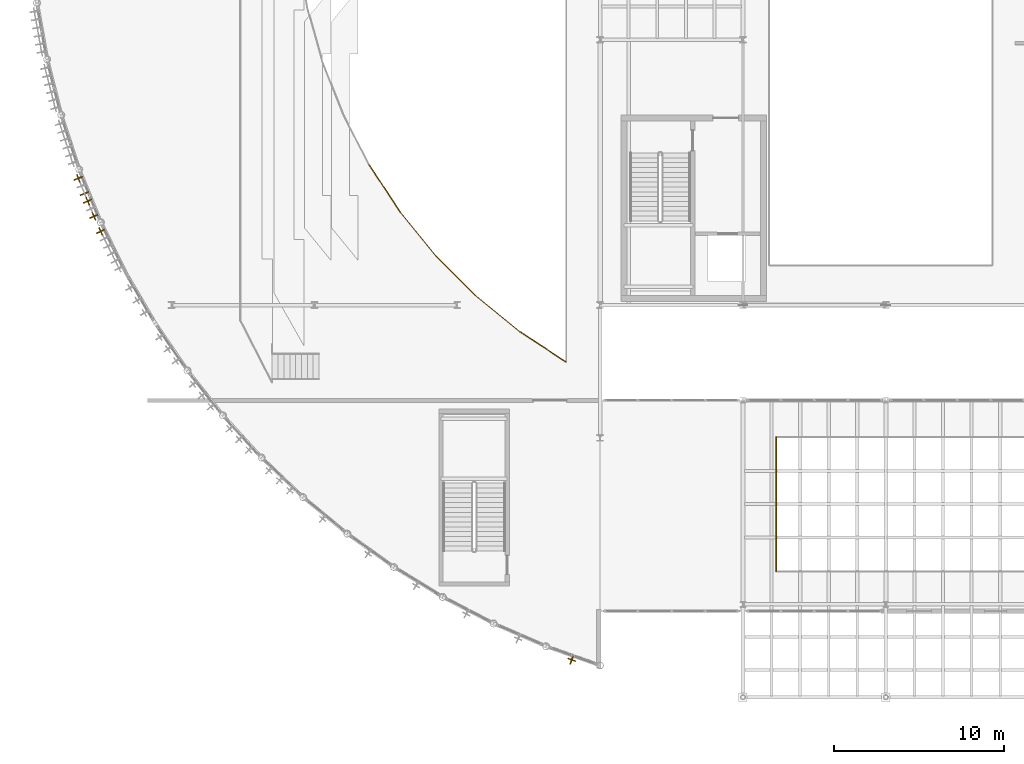
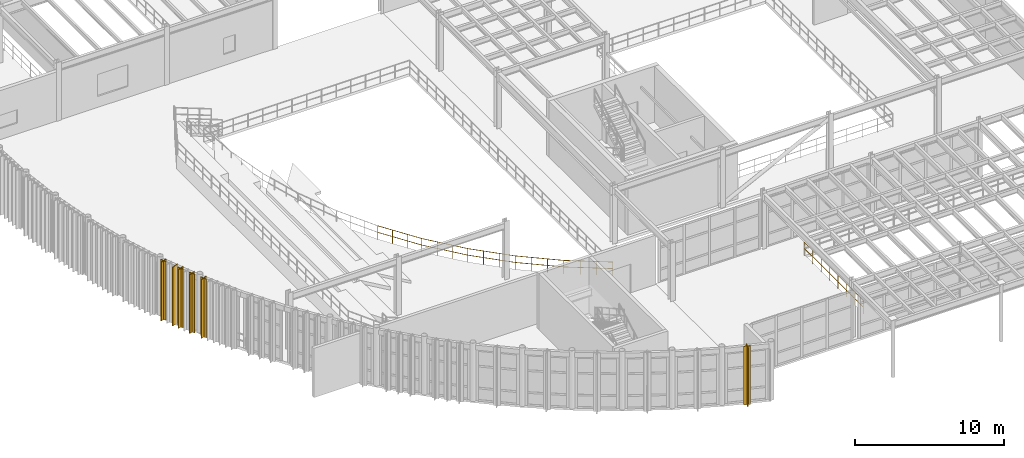
# One storey, part 97 of 105: 6 coverings, 6 railings, 5 shading devices.
"""IFC4 building model written with IfcOpenShell, lengths in metres."""

import ifcopenshell
import ifcopenshell.guid

model = None  # the IFC model being written
_history = None  # IfcOwnerHistory: only IFC2X3 demands one
_inside = {}  # id of a spatial element -> (the spatial element, [elements in it])
_under = {}  # id of a project, library or spatial element -> (it, [spatial elements below it])
_declared = {}  # id of a project -> (the project, [libraries it declares])
_typed = {}  # id of a type object -> (the type object, [elements of that type])
_made_of = {}  # id of a material, layer set ... -> (it, [elements and type objects made of it])


def new_model(schema):
    """Start an empty IFC model of exactly this schema.

    Asked for "IFC4X3", IfcOpenShell would pick the latest addendum, in which some entities
    have other attributes; the version numbers below select the first issue.
    IFC2X3 requires an IfcOwnerHistory on every rooted entity: one is made here for all.
    """
    global model, _history
    if schema == "IFC4X3":
        model = ifcopenshell.file(schema_version=(4, 3, 0, 0))
    else:
        model = ifcopenshell.file(schema=schema)
    _inside.clear()
    _under.clear()
    _declared.clear()
    _typed.clear()
    _made_of.clear()
    _history = None
    if model.schema == "IFC2X3":
        org = make("IfcOrganization", Name="unknown")
        user = make(
            "IfcPersonAndOrganization",
            ThePerson=make("IfcPerson", FamilyName="unknown"),
            TheOrganization=org,
        )
        app = make(
            "IfcApplication",
            ApplicationDeveloper=org,
            Version="unknown",
            ApplicationFullName="unknown",
            ApplicationIdentifier="unknown",
        )
        _history = make(
            "IfcOwnerHistory",
            OwningUser=user,
            OwningApplication=app,
            ChangeAction="ADDED",
            CreationDate=0,
        )
    return model


def make(cls, **values):
    """One entity of the class cls with the attributes given. An attribute that is None is left unset."""
    return model.create_entity(
        cls, **{name: value for name, value in values.items() if value is not None}
    )


def rooted(cls, **values):
    """An entity with a GlobalId (a new one), such as an element, a storey or a relation."""
    return make(cls, GlobalId=ifcopenshell.guid.new(), OwnerHistory=_history, **values)


def si_unit(unit_type, name, prefix=None):
    """IfcSIUnit, for example si_unit("LENGTHUNIT", "METRE", prefix="MILLI")."""
    return make("IfcSIUnit", UnitType=unit_type, Prefix=prefix, Name=name)


def assignment(units):
    """IfcUnitAssignment: the units of a project."""
    return None if units is None else make("IfcUnitAssignment", Units=units)


def point(xyz):
    """IfcCartesianPoint."""
    return None if xyz is None else make("IfcCartesianPoint", Coordinates=xyz)


def direction(xyz):
    """IfcDirection."""
    return None if xyz is None else make("IfcDirection", DirectionRatios=xyz)


def frame(location, z_axis=None, x_axis=None):
    """IfcAxis2Placement3D, a coordinate frame: its origin and axes. An axis left out is left unset."""
    return make(
        "IfcAxis2Placement3D",
        Location=point(location),
        Axis=direction(z_axis),
        RefDirection=direction(x_axis),
    )


def frame_2d(location, x_axis=None):
    """IfcAxis2Placement2D, a coordinate frame in the plane: its origin and x axis."""
    return make(
        "IfcAxis2Placement2D", Location=point(location), RefDirection=direction(x_axis)
    )


def origin():
    """The frame at (0, 0, 0) with its axes left unset."""
    return frame((0.0, 0.0, 0.0))


def origin_2d():
    """The frame at (0, 0) in the plane with its x axis left unset."""
    return frame_2d((0.0, 0.0))


def place(relative_to, where):
    """IfcLocalPlacement: puts the frame where relative to a parent placement (None: the world)."""
    return make(
        "IfcLocalPlacement", PlacementRelTo=relative_to, RelativePlacement=where
    )


def context(
    kind, dimensions, precision=None, world=None, true_north=None, identifier=None
):
    """IfcGeometricRepresentationContext, for example the 3D "Model" context."""
    return make(
        "IfcGeometricRepresentationContext",
        ContextIdentifier=identifier,
        ContextType=kind,
        CoordinateSpaceDimension=dimensions,
        Precision=precision,
        WorldCoordinateSystem=world,
        TrueNorth=true_north,
    )


def subcontext(parent, identifier, kind, view, scale=None):
    """IfcGeometricRepresentationSubContext, for example "Body" below "Model"."""
    return make(
        "IfcGeometricRepresentationSubContext",
        ContextIdentifier=identifier,
        ContextType=kind,
        ParentContext=parent,
        TargetScale=scale,
        TargetView=view,
    )


def project(units=None, contexts=None):
    """IfcProject with its units and contexts."""
    return rooted(
        "IfcProject",
        Name="project",
        RepresentationContexts=contexts,
        UnitsInContext=assignment(units),
    )


def spatial(cls, under=None, at=None, **own):
    """A site, building, storey or space (cls), placed at a placement, below another one or the project."""
    s = rooted(cls, ObjectPlacement=at, **own)
    if under is not None:
        _under.setdefault(under.id(), (under, []))[1].append(s)
    return s


def polyline(points):
    """IfcPolyline through the points."""
    return make("IfcPolyline", Points=[point(p) for p in points])


def profile(cls, at=None, kind="AREA", **sizes):
    """A parametric profile (cls). Its sizes go by their IFC names, for example OverallWidth=200.0."""
    return make(cls, ProfileType=kind, Position=at, **sizes)


def rectangle(**sizes):
    """IfcRectangleProfileDef."""
    return profile("IfcRectangleProfileDef", **sizes)


def circle(**sizes):
    """IfcCircleProfileDef."""
    return profile("IfcCircleProfileDef", **sizes)


def outline(outer, holes=None, kind="AREA"):
    """IfcArbitraryClosedProfileDef: a profile drawn as a closed curve; with holes, ...WithVoids."""
    if holes is None:
        return make("IfcArbitraryClosedProfileDef", ProfileType=kind, OuterCurve=outer)
    return make(
        "IfcArbitraryProfileDefWithVoids",
        ProfileType=kind,
        OuterCurve=outer,
        InnerCurves=holes,
    )


def extrude(swept, where, along, depth):
    """IfcExtrudedAreaSolid: the profile swept, set in the frame where, extruded along a direction by depth."""
    return make(
        "IfcExtrudedAreaSolid",
        SweptArea=swept,
        Position=where,
        ExtrudedDirection=direction(along),
        Depth=depth,
    )


def shape(context_of_items, identifier, shape_type, items):
    """IfcShapeRepresentation: the items that make up one representation, for example the "Body"."""
    return make(
        "IfcShapeRepresentation",
        ContextOfItems=context_of_items,
        RepresentationIdentifier=identifier,
        RepresentationType=shape_type,
        Items=items,
    )


def material(Name=None, Category=None):
    """IfcMaterial."""
    return make("IfcMaterial", Name=Name, Category=Category)


def layer(
    of_material, thickness, ventilated=None, Name=None, Category=None, Priority=None
):
    """IfcMaterialLayer: one layer of a wall or slab, of a material (None: an air gap)."""
    return make(
        "IfcMaterialLayer",
        Material=of_material,
        LayerThickness=thickness,
        IsVentilated=ventilated,
        Name=Name,
        Category=Category,
        Priority=Priority,
    )


def layer_set(layers, Name=None):
    """IfcMaterialLayerSet."""
    return make("IfcMaterialLayerSet", MaterialLayers=layers, LayerSetName=Name)


def material_profile(
    of_material, cross_section, Name=None, Category=None, Priority=None
):
    """IfcMaterialProfile: a cross section and its material."""
    return make(
        "IfcMaterialProfile",
        Name=Name,
        Material=of_material,
        Profile=cross_section,
        Priority=Priority,
        Category=Category,
    )


def profile_set(profiles, Name=None, composite=None):
    """IfcMaterialProfileSet."""
    return make(
        "IfcMaterialProfileSet",
        Name=Name,
        MaterialProfiles=profiles,
        CompositeProfile=composite,
    )


def made_of(thing, what):
    """Note that an element or type object is made of a material, layer set ...; save() writes the relation."""
    if what is not None:
        _made_of.setdefault(what.id(), (what, []))[1].append(thing)
    return thing


def type_object(cls, material=None, **own):
    """A type object (cls), such as IfcWallType, which elements share."""
    return made_of(rooted(cls, **own), material)


def element(
    cls,
    number,
    at=None,
    inside=None,
    cuts=None,
    type_object=None,
    material=None,
    context=None,
    identifier="Body",
    shape_type=None,
    held_by="IfcProductDefinitionShape",
    body=None,
    shapes=None,
    **own,
):
    """One element of the class cls, such as IfcWall. Its Tag is "e" and its number.

    at: its placement. inside: the storey or other place that contains it. cuts: it is an
    opening in that element (IfcRelVoidsElement). A single representation is given by context,
    identifier, shape_type and body (its items); several are given by shapes. held_by: the class
    of the entity that holds the representations. save() writes the other relations.
    """
    e = rooted(cls, Tag="e%d" % number, ObjectPlacement=at, **own)
    if body is not None:
        shapes = [shape(context, identifier, shape_type, body)]
    if shapes is not None:
        e.Representation = make(held_by, Representations=shapes)
    if inside is not None:
        _inside.setdefault(inside.id(), (inside, []))[1].append(e)
    if cuts is not None:
        rooted(
            "IfcRelVoidsElement", RelatingBuildingElement=cuts, RelatedOpeningElement=e
        )
    if type_object is not None:
        _typed.setdefault(type_object.id(), (type_object, []))[1].append(e)
    return made_of(e, material)


def aggregate(whole, parts):
    """IfcRelAggregates: a whole, such as a stair, and the parts it consists of."""
    return rooted("IfcRelAggregates", RelatingObject=whole, RelatedObjects=parts)


def save(model, path):
    """Write the relations noted so far, then the file.

    IfcRelAggregates (storeys below a building ...), IfcRelContainedInSpatialStructure (elements
    in a storey), IfcRelDefinesByType, IfcRelAssociatesMaterial and IfcRelDeclares: one each for
    every whole, place, type object, material and project.
    """
    for whole, parts in _under.values():
        aggregate(whole, parts)
    for where, things in _inside.values():
        rooted(
            "IfcRelContainedInSpatialStructure",
            RelatedElements=things,
            RelatingStructure=where,
        )
    for kind, things in _typed.values():
        rooted("IfcRelDefinesByType", RelatedObjects=things, RelatingType=kind)
    for what, things in _made_of.values():
        rooted("IfcRelAssociatesMaterial", RelatedObjects=things, RelatingMaterial=what)
    for by, libraries in _declared.values():
        rooted("IfcRelDeclares", RelatingContext=by, RelatedDefinitions=libraries)
    model.write(path)


model = new_model("IFC4")

# Units and contexts
model_context = context("Model", 3, precision=1e-05, world=origin(), true_north=direction((0.0, 1.0)))
body_context = subcontext(model_context, "Body", "Model", "MODEL_VIEW")
ifc_project = project(units=[si_unit("LENGTHUNIT", "METRE"), si_unit("AREAUNIT", "SQUARE_METRE"), si_unit("VOLUMEUNIT", "CUBIC_METRE"), si_unit("PLANEANGLEUNIT", "RADIAN"), si_unit("MASSUNIT", "GRAM", prefix="KILO")], contexts=[model_context])

# Site, building, storey
site_placement = place(None, origin())
site = spatial("IfcSite", under=ifc_project, at=site_placement, CompositionType="ELEMENT")
building_placement = place(site_placement, origin())
building = spatial("IfcBuilding", under=site, at=building_placement, Name="Selat Folded Stagehouse", CompositionType="ELEMENT")
storey_placement = place(building_placement, frame((0.0, 0.0, 10.199951171875)))
storey = spatial("IfcBuildingStorey", under=building, at=storey_placement, Name="L02", CompositionType="ELEMENT", Elevation=10.199951171875)

# Coverings
ifc_material_1 = material(Name="Bronze-anodised aluminium 6063-T6", Category="aluminium")
ifc_layer_1 = layer(ifc_material_1, 0.06201171875)
ifc_layer_set_1 = layer_set([ifc_layer_1], Name="Bronze-anodised aluminium 6063-T6")
covering_type = type_object("IfcCoveringType", Name="COV-FIN-BRZ48", PredefinedType="CLADDING", material=ifc_layer_set_1)
covering_1_placement = place(storey_placement, frame((0.0, 0.0, -0.099853515625)))
element("IfcCovering", 1, at=covering_1_placement, inside=storey, type_object=covering_type, Name="L02 drum bronze fin cladding sheath 249", PredefinedType="CLADDING", context=body_context, shape_type="SweptSolid", body=[
    extrude(outline(polyline([(3.1572265625, 30.975830078125), (2.652587890625, 30.78369140625), (2.67529296875, 30.72412109375), (3.179931640625, 30.916015625), (3.1572265625, 30.975830078125)])), origin(), (0.0, 0.0, 1.0), 4.81982421875),
])
covering_2_placement = place(storey_placement, frame((0.0, 0.0, -0.099853515625)))
element("IfcCovering", 2, at=covering_2_placement, inside=storey, type_object=covering_type, Name="L02 drum bronze fin cladding sheath 261", PredefinedType="CLADDING", context=body_context, shape_type="SweptSolid", body=[
    extrude(outline(polyline([(3.521240234375, 30.085205078125), (3.0205078125, 29.883056640625), (3.04443359375, 29.82373046875), (3.545166015625, 30.02587890625), (3.521240234375, 30.085205078125)])), origin(), (0.0, 0.0, 1.0), 4.81982421875),
])
covering_3_placement = place(storey_placement, frame((0.0, 0.0, -0.099853515625)))
element("IfcCovering", 3, at=covering_3_placement, inside=storey, type_object=covering_type, Name="L02 drum bronze fin cladding sheath 267", PredefinedType="CLADDING", context=body_context, shape_type="SweptSolid", body=[
    extrude(outline(polyline([(3.703125, 29.639892578125), (3.20458984375, 29.4326171875), (3.22900390625, 29.37353515625), (3.727783203125, 29.580810546875), (3.703125, 29.639892578125)])), origin(), (0.0, 0.0, 1.0), 4.81982421875),
])
covering_4_placement = place(storey_placement, frame((0.0, 0.0, -0.099853515625)))
element("IfcCovering", 4, at=covering_4_placement, inside=storey, type_object=covering_type, Name="L02 drum bronze fin cladding sheath 279", PredefinedType="CLADDING", context=body_context, shape_type="SweptSolid", body=[
    extrude(outline(polyline([(4.067138671875, 28.7490234375), (3.57275390625, 28.531982421875), (3.598388671875, 28.473388671875), (4.0927734375, 28.6904296875), (4.067138671875, 28.7490234375)])), origin(), (0.0, 0.0, 1.0), 4.81982421875),
])
covering_5_placement = place(storey_placement, frame((0.0, 0.0, -0.099853515625)))
element("IfcCovering", 5, at=covering_5_placement, inside=storey, type_object=covering_type, Name="L02 drum bronze fin cladding sheath 285", PredefinedType="CLADDING", context=body_context, shape_type="SweptSolid", body=[
    extrude(outline(polyline([(4.4619140625, 27.872314453125), (3.9716796875, 27.6455078125), (3.998779296875, 27.58740234375), (4.48876953125, 27.814208984375), (4.4619140625, 27.872314453125)])), origin(), (0.0, 0.0, 1.0), 4.81982421875),
])
covering_6_placement = place(storey_placement, frame((0.0, 0.0, -0.099853515625)))
element("IfcCovering", 6, at=covering_6_placement, inside=storey, type_object=covering_type, Name="L02 drum bronze fin cladding sheath 431", PredefinedType="CLADDING", context=body_context, shape_type="SweptSolid", body=[
    extrude(outline(polyline([(31.98828125, 2.802001953125), (31.808349609375, 2.292724609375), (31.86865234375, 2.271484375), (32.048583984375, 2.780517578125), (31.98828125, 2.802001953125)])), origin(), (0.0, 0.0, 1.0), 4.81982421875),
])

# Railings
ifc_material_2 = material(Name="Bronze-anodised steel balustrade", Category="steel")
ifc_layer_2 = layer(ifc_material_2, 0.06494140625)
ifc_layer_set_2 = layer_set([ifc_layer_2], Name="Bronze-anodised steel balustrade")
railing_type = type_object("IfcRailingType", Name="RLG-BAL-1120", PredefinedType="BALUSTRADE", material=ifc_layer_set_2)
railing_1_placement = place(storey_placement, frame((43.949951171875, 15.64990234375, 0.0)))
element("IfcRailing", 7, at=railing_1_placement, inside=storey, type_object=railing_type, Name="L02 protective guard railing 041", PredefinedType="BALUSTRADE", context=body_context, shape_type="SweptSolid", body=[
    extrude(circle(Radius=0.02392578125, at=origin_2d()), frame((0.0, 0.0, 1.09619140625), z_axis=(0.0, -1.0, 0.0), x_axis=(1.0, 0.0, 0.0)), (0.0, 0.0, 1.0), 7.89990234375),
    extrude(circle(Radius=0.02392578125, at=origin_2d()), frame((0.0, 0.0, 0.56005859375), z_axis=(0.0, -1.0, 0.0), x_axis=(1.0, 0.0, 0.0)), (0.0, 0.0, 1.0), 7.89990234375),
    extrude(circle(Radius=0.02099609375, at=origin_2d()), origin(), (0.0, 0.0, 1.0), 1.072021484375),
    extrude(circle(Radius=0.02099609375, at=origin_2d()), frame((0.0, -1.128662109375, 0.0)), (0.0, 0.0, 1.0), 1.072021484375),
    extrude(circle(Radius=0.02099609375, at=origin_2d()), frame((0.0, -2.257080078125, 0.0)), (0.0, 0.0, 1.0), 1.072021484375),
    extrude(circle(Radius=0.02099609375, at=origin_2d()), frame((0.0, -3.3857421875, 0.0)), (0.0, 0.0, 1.0), 1.072021484375),
    extrude(circle(Radius=0.02099609375, at=origin_2d()), frame((0.0, -4.51416015625, 0.0)), (0.0, 0.0, 1.0), 1.072021484375),
    extrude(circle(Radius=0.02099609375, at=origin_2d()), frame((0.0, -5.642822265625, 0.0)), (0.0, 0.0, 1.0), 1.072021484375),
    extrude(circle(Radius=0.02099609375, at=origin_2d()), frame((0.0, -6.771240234375, 0.0)), (0.0, 0.0, 1.0), 1.072021484375),
    extrude(circle(Radius=0.02099609375, at=origin_2d()), frame((0.0, -7.89990234375, 0.0)), (0.0, 0.0, 1.0), 1.072021484375),
])
railing_2_placement = place(storey_placement, frame((31.60009765625, 20.05712890625, 0.0)))
element("IfcRailing", 8, at=railing_2_placement, inside=storey, type_object=railing_type, Name="L02 protective guard railing 087", PredefinedType="BALUSTRADE", context=body_context, shape_type="SweptSolid", body=[
    extrude(circle(Radius=0.02392578125, at=origin_2d()), frame((0.0, 0.0, 1.09619140625), z_axis=(-0.83547414268, 0.549529759807, 0.0), x_axis=(-0.549529759807, -0.83547414268, 0.0)), (0.0, 0.0, 1.0), 3.30859375),
    extrude(circle(Radius=0.02392578125, at=origin_2d()), frame((0.0, 0.0, 0.56005859375), z_axis=(-0.83547414268, 0.549529759807, 0.0), x_axis=(-0.549529759807, -0.83547414268, 0.0)), (0.0, 0.0, 1.0), 3.30859375),
    extrude(circle(Radius=0.02099609375, at=origin_2d()), origin(), (0.0, 0.0, 1.0), 1.072021484375),
    extrude(circle(Radius=0.02099609375, at=origin_2d()), frame((-0.92138671875, 0.60595703125, 0.0)), (0.0, 0.0, 1.0), 1.072021484375),
    extrude(circle(Radius=0.02099609375, at=origin_2d()), frame((-1.8427734375, 1.212158203125, 0.0)), (0.0, 0.0, 1.0), 1.072021484375),
    extrude(circle(Radius=0.02099609375, at=origin_2d()), frame((-2.76416015625, 1.818115234375, 0.0)), (0.0, 0.0, 1.0), 1.072021484375),
])
railing_3_placement = place(storey_placement, frame((28.8359375, 21.875244140625, 0.0)))
element("IfcRailing", 9, at=railing_3_placement, inside=storey, type_object=railing_type, Name="L02 protective guard railing 088", PredefinedType="BALUSTRADE", context=body_context, shape_type="SweptSolid", body=[
    extrude(circle(Radius=0.02392578125, at=origin_2d()), frame((0.0, 0.0, 1.09619140625), z_axis=(-0.775054272008, 0.631894671161, 0.0), x_axis=(-0.631894671161, -0.775054272008, 0.0)), (0.0, 0.0, 1.0), 3.308349609375),
    extrude(circle(Radius=0.02392578125, at=origin_2d()), frame((0.0, 0.0, 0.56005859375), z_axis=(-0.775054272008, 0.631894671161, 0.0), x_axis=(-0.631894671161, -0.775054272008, 0.0)), (0.0, 0.0, 1.0), 3.308349609375),
    extrude(circle(Radius=0.02099609375, at=origin_2d()), origin(), (0.0, 0.0, 1.0), 1.072021484375),
    extrude(circle(Radius=0.02099609375, at=origin_2d()), frame((-0.854736328125, 0.69677734375, 0.0)), (0.0, 0.0, 1.0), 1.072021484375),
    extrude(circle(Radius=0.02099609375, at=origin_2d()), frame((-1.70947265625, 1.393798828125, 0.0)), (0.0, 0.0, 1.0), 1.072021484375),
    extrude(circle(Radius=0.02099609375, at=origin_2d()), frame((-2.564208984375, 2.090576171875, 0.0)), (0.0, 0.0, 1.0), 1.072021484375),
])
railing_4_placement = place(storey_placement, frame((26.271728515625, 23.9658203125, 0.0)))
element("IfcRailing", 10, at=railing_4_placement, inside=storey, type_object=railing_type, Name="L02 protective guard railing 089", PredefinedType="BALUSTRADE", context=body_context, shape_type="SweptSolid", body=[
    extrude(circle(Radius=0.02392578125, at=origin_2d()), frame((0.0, 0.0, 1.09619140625), z_axis=(-0.706590025381, 0.707623159621, 0.0), x_axis=(-0.707623159621, -0.706590025381, 0.0)), (0.0, 0.0, 1.0), 3.308349609375),
    extrude(circle(Radius=0.02392578125, at=origin_2d()), frame((0.0, 0.0, 0.56005859375), z_axis=(-0.706590025381, 0.707623159621, 0.0), x_axis=(-0.707623159621, -0.706590025381, 0.0)), (0.0, 0.0, 1.0), 3.308349609375),
    extrude(circle(Radius=0.02099609375, at=origin_2d()), origin(), (0.0, 0.0, 1.0), 1.072021484375),
    extrude(circle(Radius=0.02099609375, at=origin_2d()), frame((-0.779296875, 0.7802734375, 0.0)), (0.0, 0.0, 1.0), 1.072021484375),
    extrude(circle(Radius=0.02099609375, at=origin_2d()), frame((-1.558349609375, 1.560791015625, 0.0)), (0.0, 0.0, 1.0), 1.072021484375),
    extrude(circle(Radius=0.02099609375, at=origin_2d()), frame((-2.337646484375, 2.341064453125, 0.0)), (0.0, 0.0, 1.0), 1.072021484375),
])
railing_5_placement = place(storey_placement, frame((23.93408203125, 26.306884765625, 0.0)))
element("IfcRailing", 11, at=railing_5_placement, inside=storey, type_object=railing_type, Name="L02 protective guard railing 090", PredefinedType="BALUSTRADE", context=body_context, shape_type="SweptSolid", body=[
    extrude(circle(Radius=0.02392578125, at=origin_2d()), frame((0.0, 0.0, 1.09619140625), z_axis=(-0.63075097366, 0.775985315085, 0.0), x_axis=(-0.775985315085, -0.63075097366, 0.0)), (0.0, 0.0, 1.0), 3.308349609375),
    extrude(circle(Radius=0.02392578125, at=origin_2d()), frame((0.0, 0.0, 0.56005859375), z_axis=(-0.63075097366, 0.775985315085, 0.0), x_axis=(-0.775985315085, -0.63075097366, 0.0)), (0.0, 0.0, 1.0), 3.308349609375),
    extrude(circle(Radius=0.02099609375, at=origin_2d()), origin(), (0.0, 0.0, 1.0), 1.072021484375),
    extrude(circle(Radius=0.02099609375, at=origin_2d()), frame((-0.695556640625, 0.855712890625, 0.0)), (0.0, 0.0, 1.0), 1.072021484375),
    extrude(circle(Radius=0.02099609375, at=origin_2d()), frame((-1.39111328125, 1.71142578125, 0.0)), (0.0, 0.0, 1.0), 1.072021484375),
    extrude(circle(Radius=0.02099609375, at=origin_2d()), frame((-2.086669921875, 2.567138671875, 0.0)), (0.0, 0.0, 1.0), 1.072021484375),
])
railing_6_placement = place(storey_placement, frame((21.847412109375, 28.8740234375, 0.0)))
element("IfcRailing", 12, at=railing_6_placement, inside=storey, type_object=railing_type, Name="L02 protective guard railing 091", PredefinedType="BALUSTRADE", context=body_context, shape_type="SweptSolid", body=[
    extrude(circle(Radius=0.02392578125, at=origin_2d()), frame((0.0, 0.0, 1.09619140625), z_axis=(-0.548314660812, 0.836272104484, 0.0), x_axis=(-0.836272104484, -0.548314660812, 0.0)), (0.0, 0.0, 1.0), 3.308349609375),
    extrude(circle(Radius=0.02392578125, at=origin_2d()), frame((0.0, 0.0, 0.56005859375), z_axis=(-0.548314660812, 0.836272104484, 0.0), x_axis=(-0.836272104484, -0.548314660812, 0.0)), (0.0, 0.0, 1.0), 3.308349609375),
    extrude(circle(Radius=0.02099609375, at=origin_2d()), origin(), (0.0, 0.0, 1.0), 1.072021484375),
    extrude(circle(Radius=0.02099609375, at=origin_2d()), frame((-0.604736328125, 0.922119140625, 0.0)), (0.0, 0.0, 1.0), 1.072021484375),
    extrude(circle(Radius=0.02099609375, at=origin_2d()), frame((-1.209228515625, 1.844482421875, 0.0)), (0.0, 0.0, 1.0), 1.072021484375),
    extrude(circle(Radius=0.02099609375, at=origin_2d()), frame((-1.81396484375, 2.7666015625, 0.0)), (0.0, 0.0, 1.0), 1.072021484375),
])

# Shading devices
ifc_material_profile = material_profile(ifc_material_1, rectangle(XDim=0.06005859375, YDim=0.47998046875, at=origin_2d()), Name="SOLAR-FIN 480x60")
ifc_profile_set = profile_set([ifc_material_profile], Name="Bronze-anodised aluminium 6063-T6")
shading_device_type = type_object("IfcShadingDeviceType", Name="SHD-FIN-480x60", PredefinedType="USERDEFINED", material=ifc_profile_set)
for number, where, z_axis, x_axis, name in (
    (13, (2.925537109375, 30.853515625, -0.099853515625), (0.0, 0.0, 1.0), (-0.93463961469, -0.355596387288, 0.0), "L02 drum vertical bronze solar fin 249"),
    (14, (3.475341796875, 29.510498046875, -0.099853515625), (0.0, 0.0, 1.0), (-0.923545226472, -0.383489523534, 0.0), "L02 drum vertical bronze solar fin 267"),
    (15, (3.841796875, 28.615234375, -0.099853515625), (0.0, 0.0, 1.0), (-0.91566259334, -0.401947776656, 0.0), "L02 drum vertical bronze solar fin 279"),
    (16, (4.239501953125, 27.73388671875, -0.099853515625), (0.0, 0.0, 1.0), (-0.907411091929, -0.420244107924, 0.0), "L02 drum vertical bronze solar fin 285"),
    (17, (31.931884765625, 2.546142578125, -0.099853515625), (0.0, 0.0, 1.0), (-0.333313247568, -0.942816142732, 0.0), "L02 drum vertical bronze solar fin 431"),
):
    element("IfcShadingDevice", number, at=place(storey_placement, frame(where, z_axis=z_axis, x_axis=x_axis)), inside=storey, type_object=shading_device_type, Name=name, ObjectType="FIN", PredefinedType="USERDEFINED", context=body_context, shape_type="SweptSolid", body=[
        extrude(rectangle(XDim=0.06005859375, YDim=0.47998046875, at=origin_2d()), origin(), (0.0, 0.0, 1.0), 4.81982421875),
    ])

save(model, "model.ifc")
